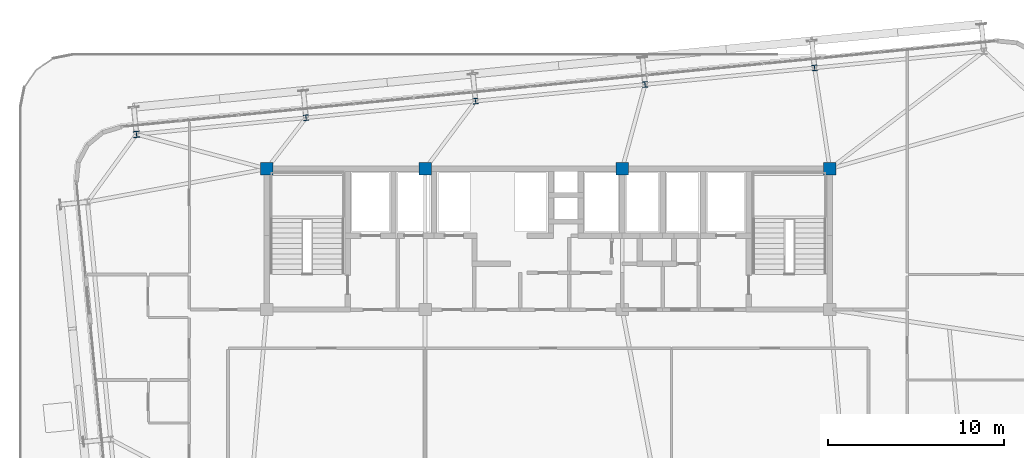
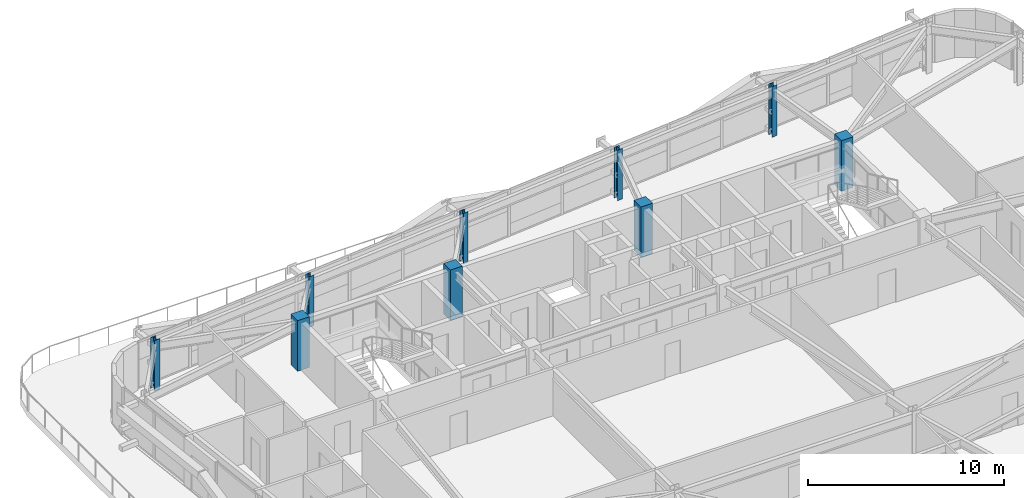
# One storey, part 3 of 51: 9 columns.
"""IFC4 building model written with IfcOpenShell, lengths in metres."""

from ifc_helpers import new_model, si_unit, direction, frame, origin, origin_2d, place, context, subcontext, project, spatial, rectangle, i_section, extrude, source, transform, mapped, material, material_profile, profile_set, type_object, element, save


model = new_model("IFC4")

# Units and contexts
model_context = context("Model", 3, precision=1e-05, world=origin(), true_north=direction((0.0, 1.0)))
body_context = subcontext(model_context, "Body", "Model", "MODEL_VIEW")
ifc_project = project(units=[si_unit("LENGTHUNIT", "METRE"), si_unit("AREAUNIT", "SQUARE_METRE"), si_unit("VOLUMEUNIT", "CUBIC_METRE"), si_unit("PLANEANGLEUNIT", "RADIAN"), si_unit("MASSUNIT", "GRAM", prefix="KILO")], contexts=[model_context])

# Site, building, storey
site_placement = place(None, origin())
site = spatial("IfcSite", under=ifc_project, at=site_placement, CompositionType="ELEMENT")
building_placement = place(site_placement, origin())
building = spatial("IfcBuilding", under=site, at=building_placement, Name="Taldren Reach Tower", CompositionType="ELEMENT")
storey_placement = place(building_placement, frame((0.0, 0.0, 65.10009765625)))
storey = spatial("IfcBuildingStorey", under=building, at=storey_placement, Name="L19", CompositionType="ELEMENT", Elevation=65.10009765625)

# Columns
ifc_material_1 = material(Name="Concrete S65 (65 MPa)", Category="concrete")
ifc_material_profile_1 = material_profile(ifc_material_1, rectangle(XDim=0.699951171875, YDim=0.699951171875, at=origin_2d()), Name="RC-700x700")
ifc_profile_set_1 = profile_set([ifc_material_profile_1], Name="Concrete S65 (65 MPa)")
column_type_1 = type_object("IfcColumnType", Name="COL-RC700", PredefinedType="COLUMN", material=ifc_profile_set_1)
shared_shape_1 = source(origin(), body_context, "Body", "SweptSolid", [
    extrude(rectangle(XDim=0.699951171875, YDim=0.699951171875, at=origin_2d()), origin(), (0.0, 0.0, 1.0), 3.14990234375),
])
for number, where, z_axis, x_axis, name in (
    (1, (19.0, 32.0, 0.0), (0.0, 0.0, 1.0), (1.0, 0.0, 0.0), "Mega column MC-C5 L19"),
    (2, (28.0, 32.0, 0.0), (0.0, 0.0, 1.0), (1.0, 0.0, 0.0), "Mega column MC-C6 L19"),
    (3, (39.199951171875, 32.0, 0.0), (0.0, 0.0, 1.0), (1.0, 0.0, 0.0), "Mega column MC-C7 L19"),
    (4, (51.0, 32.0, 0.0), (0.0, 0.0, 1.0), (1.0, 0.0, 0.0), "Mega column MC-C8 L19"),
):
    element("IfcColumn", number, at=place(storey_placement, frame(where, z_axis=z_axis, x_axis=x_axis)), inside=storey, type_object=column_type_1, Name=name, PredefinedType="COLUMN", context=body_context, shape_type="MappedRepresentation", body=[
        mapped(shared_shape_1, transform((0.0, 0.0, 0.0), scale=1.0)),
    ])
ifc_material_2 = material(Name="Steel Gr 350 (350PLUS)", Category="steel")
ifc_material_profile_2 = material_profile(ifc_material_2, i_section(OverallWidth=0.35009765625, OverallDepth=0.35595703125, WebThickness=0.01806640625, FlangeThickness=0.028076171875, at=origin_2d()), Name="350WC197")
ifc_profile_set_2 = profile_set([ifc_material_profile_2], Name="Steel Gr 350 (350PLUS)")
column_type_2 = type_object("IfcColumnType", Name="COL-WC350", PredefinedType="COLUMN", material=ifc_profile_set_2)
shared_shape_2 = source(origin(), body_context, "Body", "SweptSolid", [
    extrude(i_section(OverallWidth=0.35009765625, OverallDepth=0.35595703125, WebThickness=0.01806640625, FlangeThickness=0.028076171875, at=origin_2d()), origin(), (0.0, 0.0, 1.0), 3.14990234375),
])
column_placement = place(storey_placement, frame((11.596923828125, 33.956787109375, 0.0), z_axis=(0.0, 0.0, 1.0), x_axis=(0.995227399982, 0.097582899759, 0.0)))
element("IfcColumn", 5, at=column_placement, inside=storey, type_object=column_type_2, Name="Block B2 perimeter column N1 L19", PredefinedType="COLUMN", context=body_context, shape_type="MappedRepresentation", body=[
    mapped(shared_shape_2, transform((0.0, 0.0, 0.0), scale=1.0)),
])
ifc_material_profile_3 = material_profile(ifc_material_2, i_section(OverallWidth=0.306884765625, OverallDepth=0.31494140625, WebThickness=0.011962890625, FlangeThickness=0.018798828125, at=origin_2d()), Name="310UC118")
ifc_profile_set_3 = profile_set([ifc_material_profile_3], Name="Steel Gr 350 (350PLUS)")
column_type_3 = type_object("IfcColumnType", Name="COL-UC310B", PredefinedType="COLUMN", material=ifc_profile_set_3)
shared_shape_3 = source(origin(), body_context, "Body", "SweptSolid", [
    extrude(i_section(OverallWidth=0.306884765625, OverallDepth=0.31494140625, WebThickness=0.011962890625, FlangeThickness=0.018798828125, at=origin_2d()), origin(), (0.0, 0.0, 1.0), 3.14990234375),
])
for number, where, z_axis, x_axis, name in (
    (6, (21.230712890625, 34.9013671875, 0.0), (0.0, 0.0, 1.0), (0.995227399982, 0.097582899759, 0.0), "Block B2 perimeter column N2 L19"),
    (7, (30.864501953125, 35.84619140625, 0.0), (0.0, 0.0, 1.0), (0.995227399982, 0.097582899759, 0.0), "Block B2 perimeter column N3 L19"),
    (8, (40.498291015625, 36.790771484375, 0.0), (0.0, 0.0, 1.0), (0.995227399982, 0.097582899759, 0.0), "Block B2 perimeter column N4 L19"),
    (9, (50.132080078125, 37.7353515625, 0.0), (0.0, 0.0, 1.0), (0.995227399982, 0.097582899759, 0.0), "Block B2 perimeter column N5 L19"),
):
    element("IfcColumn", number, at=place(storey_placement, frame(where, z_axis=z_axis, x_axis=x_axis)), inside=storey, type_object=column_type_3, Name=name, PredefinedType="COLUMN", context=body_context, shape_type="MappedRepresentation", body=[
        mapped(shared_shape_3, transform((0.0, 0.0, 0.0), scale=1.0)),
    ])

save(model, "model.ifc")
